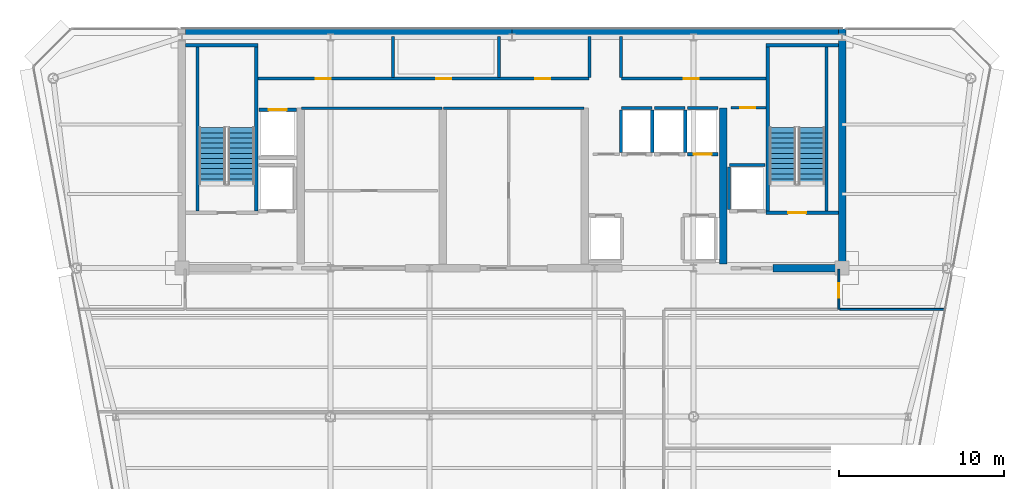
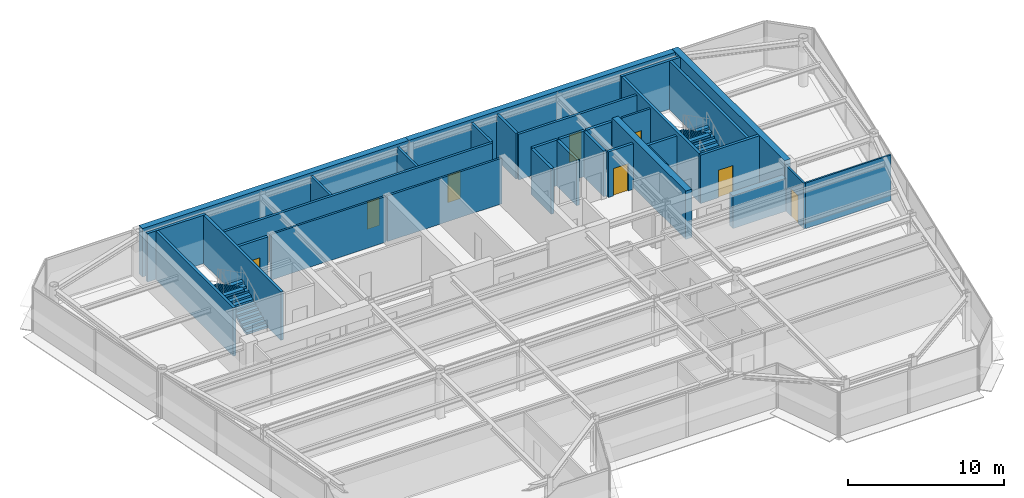
# One storey, part 12 of 19: 33 walls, 9 doors, 4 stair flights, 9 openings, 2 elements without a shape of their own.
"""IFC4 building model written with IfcOpenShell, lengths in metres."""

from ifc_helpers import new_model, si_unit, direction, frame, frame_2d, origin, place, context, subcontext, project, spatial, polyline, rectangle, outline, extrude, source, transform, mapped, material, layer, layer_set, type_object, element, fill, aggregate, save


model = new_model("IFC4")

# Units and contexts
model_context = context("Model", 3, precision=1e-05, world=origin(), true_north=direction((0.0, 1.0)))
body_context = subcontext(model_context, "Body", "Model", "MODEL_VIEW")
ifc_project = project(units=[si_unit("LENGTHUNIT", "METRE"), si_unit("AREAUNIT", "SQUARE_METRE"), si_unit("VOLUMEUNIT", "CUBIC_METRE"), si_unit("PLANEANGLEUNIT", "RADIAN"), si_unit("MASSUNIT", "GRAM", prefix="KILO")], contexts=[model_context])

# Site, building, storey
site_placement = place(None, origin())
site = spatial("IfcSite", under=ifc_project, at=site_placement, CompositionType="ELEMENT")
building_placement = place(site_placement, origin())
building = spatial("IfcBuilding", under=site, at=building_placement, Name="Vaeldorn Concourse Tower", CompositionType="ELEMENT")
storey_placement = place(building_placement, frame((0.0, 0.0, 287.800048828125)))
storey = spatial("IfcBuildingStorey", under=building, at=storey_placement, Name="L74", CompositionType="ELEMENT", Elevation=287.800048828125)

# Walls
ifc_material_1 = material(Name="Concrete C50/60", Category="concrete")
ifc_layer_1 = layer(ifc_material_1, 0.449951171875)
ifc_layer_set_1 = layer_set([ifc_layer_1], Name="Concrete C50/60")
wall_type_1 = type_object("IfcWallType", Name="WL-CORE-450", PredefinedType="SHEAR", material=ifc_layer_set_1)
for number, where, z_axis, x_axis, name in (
    (1, (14.22900390625, 50.77490234375, 0.0), (0.0, 0.0, 1.0), (1.0, 0.0, 0.0), "Rear Core Shear Wall L74 N1"),
    (2, (34.001953125, 50.77490234375, 0.0), (0.0, 0.0, 1.0), (1.0, 0.0, 0.0), "Rear Core Shear Wall L74 N2"),
):
    element("IfcWall", number, at=place(storey_placement, frame(where, z_axis=z_axis, x_axis=x_axis)), inside=storey, type_object=wall_type_1, Name=name, PredefinedType="SHEAR", context=body_context, shape_type="SweptSolid", body=[
        extrude(rectangle(XDim=19.76904296875, YDim=0.449951171875, at=frame_2d((9.884521484375, 0.0))), origin(), (0.0, 0.0, 1.0), 3.800048828125),
    ])
wall_1_placement = place(storey_placement, frame((54.0, 36.5, 0.0), z_axis=(0.0, 0.0, 1.0), x_axis=(0.0, 1.0, 0.0)))
element("IfcWall", 3, at=wall_1_placement, inside=storey, type_object=wall_type_1, Name="Rear Core Shear Wall L74 E1", PredefinedType="SHEAR", context=body_context, shape_type="SweptSolid", body=[
    extrude(rectangle(XDim=14.5, YDim=0.449951171875, at=frame_2d((7.25, 0.0))), origin(), (0.0, 0.0, 1.0), 3.800048828125),
])
wall_2_placement = place(storey_placement, frame((49.800048828125, 36.5, 0.0), z_axis=(0.0, 0.0, 1.0), x_axis=(1.0, 0.0, 0.0)))
element("IfcWall", 4, at=wall_2_placement, inside=storey, type_object=wall_type_1, Name="Rear Core Shear Wall L74 S4", PredefinedType="SHEAR", context=body_context, shape_type="SweptSolid", body=[
    extrude(rectangle(XDim=3.954833984375, YDim=0.449951171875, at=frame_2d((1.9775390625, 0.0))), origin(), (0.0, 0.0, 1.0), 2.579833984375),
])
wall_3_placement = place(storey_placement, frame((46.800048828125, 36.7451171875, 0.0), z_axis=(0.0, 0.0, 1.0), x_axis=(0.0, 1.0, 0.0)))
element("IfcWall", 5, at=wall_3_placement, inside=storey, type_object=wall_type_1, Name="Rear Core Shear Wall L74 M4", PredefinedType="SHEAR", context=body_context, shape_type="SweptSolid", body=[
    extrude(rectangle(XDim=9.454833984375, YDim=0.449951171875, at=frame_2d((4.7275390625, 0.0))), origin(), (0.0, 0.0, 1.0), 3.800048828125),
])

# Wall, opening, door
ifc_material_2 = material(Name="Gypsum Board Partition", Category="gypsum")
ifc_layer_2 = layer(ifc_material_2, 0.1201171875)
ifc_layer_set_2 = layer_set([ifc_layer_2], Name="Gypsum Board Partition")
wall_type_2 = type_object("IfcWallType", Name="WL-PART-120", PredefinedType="PARTITIONING", material=ifc_layer_set_2)
wall_4_placement = place(storey_placement, frame((53.800048828125, 34.0, 0.0), z_axis=(0.0, 0.0, 1.0), x_axis=(0.0, 1.0, 0.0)))
wall_4 = element("IfcWall", 6, at=wall_4_placement, inside=storey, type_object=wall_type_2, Name="Interior Wall PW-L74-C3E", PredefinedType="PARTITIONING", context=body_context, shape_type="SweptSolid", body=[
    extrude(rectangle(XDim=2.43994140625, YDim=0.1201171875, at=frame_2d((1.219970703125, 0.0))), origin(), (0.0, 0.0, 1.0), 3.579833984375),
])
opening_1_placement = place(wall_4_placement, frame((0.699951171875, 0.0, 0.0)))
opening_1 = element("IfcOpeningElement", 7, at=opening_1_placement, cuts=wall_4, Name="Opening D-03", PredefinedType="OPENING", context=body_context, shape_type="SweptSolid", body=[
    extrude(rectangle(XDim=0.89990234375, YDim=2.14990234375, at=frame_2d((0.449951171875, 1.074951171875))), frame((0.0, 0.070068359375, 0.0), z_axis=(0.0, -1.0, 0.0), x_axis=(1.0, 0.0, 0.0)), (0.0, 0.0, 1.0), 0.14013671875),
])
ifc_material_3 = material(Name="Acoustic Bronze-Framed Glass Door", Category="glass")
door_type_1 = type_object("IfcDoorType", Name="DR-INT-900", OperationType="NOTDEFINED", PredefinedType="DOOR", material=ifc_material_3)
shared_shape_1 = source(origin(), body_context, "Body", "SweptSolid", [
    extrude(rectangle(XDim=0.89990234375, YDim=2.14990234375, at=frame_2d((0.449951171875, 1.074951171875))), frame((0.0, 0.02490234375, 0.0), z_axis=(0.0, -1.0, 0.0), x_axis=(1.0, 0.0, 0.0)), (0.0, 0.0, 1.0), 0.050048828125),
])
door_1_placement = place(opening_1_placement, origin())
door_1 = element("IfcDoor", 8, at=door_1_placement, inside=storey, type_object=door_type_1, Name="Interior Door DR-L74-Z3NE", OperationType="SINGLE_SWING_RIGHT", OverallHeight=2.14990234375, OverallWidth=0.89990234375, PredefinedType="DOOR", context=body_context, shape_type="MappedRepresentation", body=[
    mapped(shared_shape_1, transform((0.0, 0.0, 0.0), scale=1.0)),
])
fill(opening_1, door_1)

# Walls
wall_5_placement = place(storey_placement, frame((53.860107421875, 34.0, 0.0), z_axis=(0.0, 0.0, 1.0), x_axis=(1.0, 0.0, 0.0)))
element("IfcWall", 9, at=wall_5_placement, inside=storey, type_object=wall_type_2, Name="Interior Wall PW-L74-Z3NEB", PredefinedType="PARTITIONING", context=body_context, shape_type="SweptSolid", body=[
    extrude(rectangle(XDim=6.34423828125, YDim=0.1201171875, at=frame_2d((3.172119140625, 0.0))), origin(), (0.0, 0.0, 1.0), 3.579833984375),
])
ifc_layer_3 = layer(ifc_material_2, 0.14990234375)
ifc_layer_set_3 = layer_set([ifc_layer_3], Name="Gypsum Board Partition")
wall_type_3 = type_object("IfcWallType", Name="WL-PART-150", PredefinedType="PARTITIONING", material=ifc_layer_set_3)
for number, where, z_axis, x_axis, name in (
    (10, (21.25, 46.199951171875, 0.0), (0.0, 0.0, 1.0), (1.0, 0.0, 0.0), "Interior Wall CW-L74-R1N"),
    (11, (29.85009765625, 46.199951171875, 0.0), (0.0, 0.0, 1.0), (1.0, 0.0, 0.0), "Interior Wall CW-L74-R2N"),
):
    element("IfcWall", number, at=place(storey_placement, frame(where, z_axis=z_axis, x_axis=x_axis)), inside=storey, type_object=wall_type_3, Name=name, PredefinedType="PARTITIONING", context=body_context, shape_type="SweptSolid", body=[
        extrude(rectangle(XDim=8.5, YDim=0.14990234375, at=frame_2d((4.25, 0.0))), origin(), (0.0, 0.0, 1.0), 3.579833984375),
    ])

# Wall, opening, door
wall_6_placement = place(storey_placement, frame((47.280029296875, 46.219970703125, 0.0), z_axis=(0.0, 0.0, 1.0), x_axis=(1.0, 0.0, 0.0)))
wall_6 = element("IfcWall", 12, at=wall_6_placement, inside=storey, type_object=wall_type_3, Name="Interior Wall CW-L74-CRSE-N", PredefinedType="PARTITIONING", context=body_context, shape_type="SweptSolid", body=[
    extrude(rectangle(XDim=2.099853515625, YDim=0.14990234375, at=frame_2d((1.0498046875, 0.0))), origin(), (0.0, 0.0, 1.0), 3.579833984375),
])
opening_2_placement = place(wall_6_placement, frame((0.550048828125, 0.0, 0.0)))
opening_2 = element("IfcOpeningElement", 13, at=opening_2_placement, cuts=wall_6, Name="Opening D-02", PredefinedType="OPENING", context=body_context, shape_type="SweptSolid", body=[
    extrude(rectangle(XDim=0.89990234375, YDim=2.10009765625, at=frame_2d((0.449951171875, 1.050048828125))), frame((0.0, 0.0849609375, 0.0), z_axis=(0.0, -1.0, 0.0), x_axis=(1.0, 0.0, 0.0)), (0.0, 0.0, 1.0), 0.169921875),
])
ifc_material_4 = material(Name="Fire-Rated Timber Leaf", Category="wood")
door_type_2 = type_object("IfcDoorType", Name="DR-FD30-900", OperationType="NOTDEFINED", PredefinedType="DOOR", material=ifc_material_4)
shared_shape_2 = source(origin(), body_context, "Body", "SweptSolid", [
    extrude(rectangle(XDim=0.89990234375, YDim=2.10009765625, at=frame_2d((0.449951171875, 1.050048828125))), frame((0.0, 0.02490234375, 0.0), z_axis=(0.0, -1.0, 0.0), x_axis=(1.0, 0.0, 0.0)), (0.0, 0.0, 1.0), 0.050048828125),
])
door_2_placement = place(opening_2_placement, origin())
door_2 = element("IfcDoor", 14, at=door_2_placement, inside=storey, type_object=door_type_2, Name="Interior Door DR-L74-CRSE", OperationType="SINGLE_SWING_RIGHT", OverallHeight=2.10009765625, OverallWidth=0.89990234375, PredefinedType="DOOR", context=body_context, shape_type="MappedRepresentation", body=[
    mapped(shared_shape_2, transform((0.0, 0.0, 0.0), scale=1.0)),
])
fill(opening_2, door_2)

# Wall, openings, doors
ifc_layer_4 = layer(ifc_material_2, 0.179931640625)
ifc_layer_set_4 = layer_set([ifc_layer_4], Name="Gypsum Board Partition")
wall_type_4 = type_object("IfcWallType", Name="WL-PLUMB-180", PredefinedType="PLUMBINGWALL", material=ifc_layer_set_4)
wall_7_placement = place(storey_placement, frame((18.6201171875, 47.97998046875, 0.0), z_axis=(0.0, 0.0, 1.0), x_axis=(1.0, 0.0, 0.0)))
wall_7 = element("IfcWall", 15, at=wall_7_placement, inside=storey, type_object=wall_type_4, Name="Interior Wall CW-L74-NS1W", PredefinedType="PLUMBINGWALL", context=body_context, shape_type="SweptSolid", body=[
    extrude(rectangle(XDim=20.059814453125, YDim=0.179931640625, at=frame_2d((10.02978515625, 0.0))), origin(), (0.0, 0.0, 1.0), 3.579833984375),
])
opening_3_placement = place(wall_7_placement, frame((3.5, 0.0, 0.0)))
opening_3 = element("IfcOpeningElement", 16, at=opening_3_placement, cuts=wall_7, Name="Opening D-03", PredefinedType="OPENING", context=body_context, shape_type="SweptSolid", body=[
    extrude(rectangle(XDim=0.89990234375, YDim=2.14990234375, at=frame_2d((0.449951171875, 1.074951171875))), frame((0.0, 0.10009765625, 0.0), z_axis=(0.0, -1.0, 0.0), x_axis=(1.0, 0.0, 0.0)), (0.0, 0.0, 1.0), 0.199951171875),
])
opening_4_placement = place(wall_7_placement, frame((10.800048828125, 0.0, 0.0)))
opening_4 = element("IfcOpeningElement", 17, at=opening_4_placement, cuts=wall_7, Name="Opening D-03", PredefinedType="OPENING", context=body_context, shape_type="SweptSolid", body=[
    extrude(rectangle(XDim=0.89990234375, YDim=2.14990234375, at=frame_2d((0.449951171875, 1.074951171875))), frame((0.0, 0.10009765625, 0.0), z_axis=(0.0, -1.0, 0.0), x_axis=(1.0, 0.0, 0.0)), (0.0, 0.0, 1.0), 0.199951171875),
])
opening_5_placement = place(wall_7_placement, frame((16.800048828125, 0.0, 0.0)))
opening_5 = element("IfcOpeningElement", 18, at=opening_5_placement, cuts=wall_7, Name="Opening D-03", PredefinedType="OPENING", context=body_context, shape_type="SweptSolid", body=[
    extrude(rectangle(XDim=0.89990234375, YDim=2.14990234375, at=frame_2d((0.449951171875, 1.074951171875))), frame((0.0, 0.10009765625, 0.0), z_axis=(0.0, -1.0, 0.0), x_axis=(1.0, 0.0, 0.0)), (0.0, 0.0, 1.0), 0.199951171875),
])
door_3_placement = place(opening_3_placement, origin())
door_3 = element("IfcDoor", 19, at=door_3_placement, inside=storey, type_object=door_type_1, Name="Interior Door DR-L74-CS1", OperationType="SINGLE_SWING_LEFT", OverallHeight=2.14990234375, OverallWidth=0.89990234375, PredefinedType="DOOR", context=body_context, shape_type="MappedRepresentation", body=[
    mapped(shared_shape_1, transform((0.0, 0.0, 0.0), scale=1.0)),
])
fill(opening_3, door_3)
door_4_placement = place(opening_4_placement, origin())
door_4 = element("IfcDoor", 20, at=door_4_placement, inside=storey, type_object=door_type_1, Name="Interior Door DR-L74-CS2", OperationType="SINGLE_SWING_RIGHT", OverallHeight=2.14990234375, OverallWidth=0.89990234375, PredefinedType="DOOR", context=body_context, shape_type="MappedRepresentation", body=[
    mapped(shared_shape_1, transform((0.0, 0.0, 0.0), scale=1.0)),
])
fill(opening_4, door_4)
door_5_placement = place(opening_5_placement, origin())
door_5 = element("IfcDoor", 21, at=door_5_placement, inside=storey, type_object=door_type_1, Name="Interior Door DR-L74-CS3", OperationType="SINGLE_SWING_LEFT", OverallHeight=2.14990234375, OverallWidth=0.89990234375, PredefinedType="DOOR", context=body_context, shape_type="MappedRepresentation", body=[
    mapped(shared_shape_1, transform((0.0, 0.0, 0.0), scale=1.0)),
])
fill(opening_5, door_5)

# Wall, opening, door
wall_8_placement = place(storey_placement, frame((40.6201171875, 47.97998046875, 0.0), z_axis=(0.0, 0.0, 1.0), x_axis=(1.0, 0.0, 0.0)))
wall_8 = element("IfcWall", 22, at=wall_8_placement, inside=storey, type_object=wall_type_4, Name="Interior Wall CW-L74-NS1E", PredefinedType="PLUMBINGWALL", context=body_context, shape_type="SweptSolid", body=[
    extrude(rectangle(XDim=8.759765625, YDim=0.179931640625, at=frame_2d((4.3798828125, 0.0))), origin(), (0.0, 0.0, 1.0), 3.579833984375),
])
opening_6_placement = place(wall_8_placement, frame((3.800048828125, 0.0, 0.0)))
opening_6 = element("IfcOpeningElement", 23, at=opening_6_placement, cuts=wall_8, Name="Opening D-03", PredefinedType="OPENING", context=body_context, shape_type="SweptSolid", body=[
    extrude(rectangle(XDim=0.89990234375, YDim=2.14990234375, at=frame_2d((0.449951171875, 1.074951171875))), frame((0.0, 0.10009765625, 0.0), z_axis=(0.0, -1.0, 0.0), x_axis=(1.0, 0.0, 0.0)), (0.0, 0.0, 1.0), 0.199951171875),
])
door_6_placement = place(opening_6_placement, origin())
door_6 = element("IfcDoor", 24, at=door_6_placement, inside=storey, type_object=door_type_1, Name="Interior Door DR-L74-CS4", OperationType="SINGLE_SWING_RIGHT", OverallHeight=2.14990234375, OverallWidth=0.89990234375, PredefinedType="DOOR", context=body_context, shape_type="MappedRepresentation", body=[
    mapped(shared_shape_1, transform((0.0, 0.0, 0.0), scale=1.0)),
])
fill(opening_6, door_6)

# Walls
for number, where, z_axis, x_axis, name in (
    (25, (26.800048828125, 48.06005859375, 0.0), (0.0, 0.0, 1.0), (0.0, 1.0, 0.0), "Interior Wall CW-L74-NDIV1"),
    (26, (33.199951171875, 48.06005859375, 0.0), (0.0, 0.0, 1.0), (0.0, 1.0, 0.0), "Interior Wall CW-L74-NDIV2"),
    (27, (38.699951171875, 48.06005859375, 0.0), (0.0, 0.0, 1.0), (0.0, 1.0, 0.0), "Interior Wall CW-L74-NDIV3"),
    (28, (40.60009765625, 48.06005859375, 0.0), (0.0, 0.0, 1.0), (0.0, 1.0, 0.0), "Interior Wall CW-L74-NDIV4"),
):
    element("IfcWall", number, at=place(storey_placement, frame(where, z_axis=z_axis, x_axis=x_axis)), inside=storey, type_object=wall_type_4, Name=name, PredefinedType="PLUMBINGWALL", context=body_context, shape_type="SweptSolid", body=[
        extrude(rectangle(XDim=2.469970703125, YDim=0.179931640625, at=frame_2d((1.23486328125, 0.0))), origin(), (0.0, 0.0, 1.0), 3.579833984375),
    ])
ifc_layer_5 = layer(ifc_material_1, 0.199951171875)
ifc_layer_set_5 = layer_set([ifc_layer_5], Name="Concrete C50/60")
wall_type_5 = type_object("IfcWallType", Name="WL-SHAFT-200", PredefinedType="SOLIDWALL", material=ifc_layer_set_5)
wall_9_placement = place(storey_placement, frame((14.22509765625, 50.0, 0.0), z_axis=(0.0, 0.0, 1.0), x_axis=(1.0, 0.0, 0.0)))
element("IfcWall", 29, at=wall_9_placement, inside=storey, type_object=wall_type_5, Name="Stair Shaft Wall CW-L74-ST-1-N", PredefinedType="SOLIDWALL", context=body_context, shape_type="SweptSolid", body=[
    extrude(rectangle(XDim=4.375, YDim=0.199951171875, at=frame_2d((2.1875, 0.0))), origin(), (0.0, 0.0, 1.0), 3.800048828125),
])
for number, where, z_axis, x_axis, name in (
    (30, (14.949951171875, 39.9599609375, 0.0), (0.0, 0.0, 1.0), (0.0, 1.0, 0.0), "Stair Shaft Wall CW-L74-ST-1-W"),
    (31, (18.5, 39.9599609375, 0.0), (0.0, 0.0, 1.0), (0.0, 1.0, 0.0), "Stair Shaft Wall CW-L74-ST-1-E"),
):
    element("IfcWall", number, at=place(storey_placement, frame(where, z_axis=z_axis, x_axis=x_axis)), inside=storey, type_object=wall_type_5, Name=name, PredefinedType="SOLIDWALL", context=body_context, shape_type="SweptSolid", body=[
        extrude(rectangle(XDim=9.929931640625, YDim=0.199951171875, at=frame_2d((4.96484375, 0.0))), origin(), (0.0, 0.0, 1.0), 3.800048828125),
    ])

# Wall, opening, door
wall_10_placement = place(storey_placement, frame((49.39990234375, 39.85009765625, 0.0), z_axis=(0.0, 0.0, 1.0), x_axis=(1.0, 0.0, 0.0)))
wall_10 = element("IfcWall", 32, at=wall_10_placement, inside=storey, type_object=wall_type_5, Name="Stair Shaft Wall CW-L74-ST-2-S", PredefinedType="SOLIDWALL", context=body_context, shape_type="SweptSolid", body=[
    extrude(rectangle(XDim=4.375, YDim=0.199951171875, at=frame_2d((2.1875, 0.0))), origin(), (0.0, 0.0, 1.0), 3.800048828125),
])
opening_7_placement = place(wall_10_placement, frame((1.324951171875, 0.0, 0.0)))
opening_7 = element("IfcOpeningElement", 33, at=opening_7_placement, cuts=wall_10, Name="Opening D-01", PredefinedType="OPENING", context=body_context, shape_type="SweptSolid", body=[
    extrude(rectangle(XDim=1.10009765625, YDim=2.14990234375, at=frame_2d((0.550048828125, 1.074951171875))), frame((0.0, 0.10986328125, 0.0), z_axis=(0.0, -1.0, 0.0), x_axis=(1.0, 0.0, 0.0)), (0.0, 0.0, 1.0), 0.219970703125),
])
ifc_material_5 = material(Name="Fire-Rated Timber and Steel Leaf", Category="steel")
door_type_3 = type_object("IfcDoorType", Name="DR-FD60-1100", OperationType="NOTDEFINED", PredefinedType="DOOR", material=ifc_material_5)
shared_shape_3 = source(origin(), body_context, "Body", "SweptSolid", [
    extrude(rectangle(XDim=1.10009765625, YDim=2.14990234375, at=frame_2d((0.550048828125, 1.074951171875))), frame((0.0, 0.02490234375, 0.0), z_axis=(0.0, -1.0, 0.0), x_axis=(1.0, 0.0, 0.0)), (0.0, 0.0, 1.0), 0.050048828125),
])
door_7_placement = place(opening_7_placement, origin())
door_7 = element("IfcDoor", 34, at=door_7_placement, inside=storey, type_object=door_type_3, Name="Interior Door DR-L74-ST-2", OperationType="SINGLE_SWING_RIGHT", OverallHeight=2.14990234375, OverallWidth=1.10009765625, PredefinedType="DOOR", context=body_context, shape_type="MappedRepresentation", body=[
    mapped(shared_shape_3, transform((0.0, 0.0, 0.0), scale=1.0)),
])
fill(opening_7, door_7)

# Walls
wall_11_placement = place(storey_placement, frame((49.39990234375, 50.0, 0.0), z_axis=(0.0, 0.0, 1.0), x_axis=(1.0, 0.0, 0.0)))
element("IfcWall", 35, at=wall_11_placement, inside=storey, type_object=wall_type_5, Name="Stair Shaft Wall CW-L74-ST-2-N", PredefinedType="SOLIDWALL", context=body_context, shape_type="SweptSolid", body=[
    extrude(rectangle(XDim=4.375, YDim=0.199951171875, at=frame_2d((2.1875, 0.0))), origin(), (0.0, 0.0, 1.0), 3.800048828125),
])
for number, where, z_axis, x_axis, name in (
    (36, (49.5, 39.9599609375, 0.0), (0.0, 0.0, 1.0), (0.0, 1.0, 0.0), "Stair Shaft Wall CW-L74-ST-2-W"),
    (37, (53.050048828125, 39.9599609375, 0.0), (0.0, 0.0, 1.0), (0.0, 1.0, 0.0), "Stair Shaft Wall CW-L74-ST-2-E"),
):
    element("IfcWall", number, at=place(storey_placement, frame(where, z_axis=z_axis, x_axis=x_axis)), inside=storey, type_object=wall_type_5, Name=name, PredefinedType="SOLIDWALL", context=body_context, shape_type="SweptSolid", body=[
        extrude(rectangle(XDim=9.929931640625, YDim=0.199951171875, at=frame_2d((4.96484375, 0.0))), origin(), (0.0, 0.0, 1.0), 3.800048828125),
    ])
wall_12_placement = place(storey_placement, frame((40.6201171875, 46.199951171875, 0.0), z_axis=(0.0, 0.0, 1.0), x_axis=(1.0, 0.0, 0.0)))
element("IfcWall", 38, at=wall_12_placement, inside=storey, type_object=wall_type_5, Name="Interior Wall CW-L74-LFB-LF-15", PredefinedType="SOLIDWALL", context=body_context, shape_type="SweptSolid", body=[
    extrude(rectangle(XDim=1.85986328125, YDim=0.199951171875, at=frame_2d((0.929931640625, 0.0))), origin(), (0.0, 0.0, 1.0), 3.579833984375),
])
for number, where, z_axis, x_axis, name in (
    (39, (40.60009765625, 43.52001953125, 0.0), (0.0, 0.0, 1.0), (0.0, 1.0, 0.0), "Interior Wall CW-L74-LFW-LF-15"),
    (40, (42.5, 43.52001953125, 0.0), (0.0, 0.0, 1.0), (0.0, 1.0, 0.0), "Interior Wall CW-L74-LFE-LF-15"),
):
    element("IfcWall", number, at=place(storey_placement, frame(where, z_axis=z_axis, x_axis=x_axis)), inside=storey, type_object=wall_type_5, Name=name, PredefinedType="SOLIDWALL", context=body_context, shape_type="SweptSolid", body=[
        extrude(rectangle(XDim=2.56005859375, YDim=0.199951171875, at=frame_2d((1.280029296875, 0.0))), origin(), (0.0, 0.0, 1.0), 3.579833984375),
    ])
wall_13_placement = place(storey_placement, frame((42.6201171875, 46.199951171875, 0.0), z_axis=(0.0, 0.0, 1.0), x_axis=(1.0, 0.0, 0.0)))
element("IfcWall", 41, at=wall_13_placement, inside=storey, type_object=wall_type_5, Name="Interior Wall CW-L74-LFB-LF-16", PredefinedType="SOLIDWALL", context=body_context, shape_type="SweptSolid", body=[
    extrude(rectangle(XDim=1.85986328125, YDim=0.199951171875, at=frame_2d((0.929931640625, 0.0))), origin(), (0.0, 0.0, 1.0), 3.579833984375),
])
wall_14_placement = place(storey_placement, frame((44.5, 43.52001953125, 0.0), z_axis=(0.0, 0.0, 1.0), x_axis=(0.0, 1.0, 0.0)))
element("IfcWall", 42, at=wall_14_placement, inside=storey, type_object=wall_type_5, Name="Interior Wall CW-L74-LFE-LF-16", PredefinedType="SOLIDWALL", context=body_context, shape_type="SweptSolid", body=[
    extrude(rectangle(XDim=2.56005859375, YDim=0.199951171875, at=frame_2d((1.280029296875, 0.0))), origin(), (0.0, 0.0, 1.0), 3.579833984375),
])

# Wall, opening, door
wall_15_placement = place(storey_placement, frame((44.6201171875, 43.39990234375, 0.0), z_axis=(0.0, 0.0, 1.0), x_axis=(1.0, 0.0, 0.0)))
wall_15 = element("IfcWall", 43, at=wall_15_placement, inside=storey, type_object=wall_type_5, Name="Interior Wall CW-L74-LF-LF-17", PredefinedType="SOLIDWALL", context=body_context, shape_type="SweptSolid", body=[
    extrude(rectangle(XDim=1.85986328125, YDim=0.199951171875, at=frame_2d((0.929931640625, 0.0))), origin(), (0.0, 0.0, 1.0), 3.579833984375),
])
opening_8_placement = place(wall_15_placement, frame((0.3798828125, 0.0, 0.0)))
opening_8 = element("IfcOpeningElement", 44, at=opening_8_placement, cuts=wall_15, Name="Opening LD-1", PredefinedType="OPENING", context=body_context, shape_type="SweptSolid", body=[
    extrude(rectangle(XDim=1.10009765625, YDim=2.14990234375, at=frame_2d((0.550048828125, 1.074951171875))), frame((0.0, 0.10986328125, 0.0), z_axis=(0.0, -1.0, 0.0), x_axis=(1.0, 0.0, 0.0)), (0.0, 0.0, 1.0), 0.219970703125),
])
ifc_material_6 = material(Name="Anodised Bronze Aluminium", Category="aluminium")
door_type_4 = type_object("IfcDoorType", Name="DR-LIFT-SLIDE-1100", OperationType="DOUBLE_DOOR_SLIDING", PredefinedType="DOOR", material=ifc_material_6)
door_8_placement = place(opening_8_placement, origin())
door_8 = element("IfcDoor", 45, at=door_8_placement, inside=storey, type_object=door_type_4, Name="Lift Landing Door LD-L74-LF-17", OperationType="DOUBLE_DOOR_SLIDING", OverallHeight=2.14990234375, OverallWidth=1.10009765625, PredefinedType="DOOR", context=body_context, shape_type="MappedRepresentation", body=[
    mapped(shared_shape_3, transform((0.0, 0.0, 0.0), scale=1.0)),
])
fill(opening_8, door_8)

# Wall
wall_16_placement = place(storey_placement, frame((44.6201171875, 46.199951171875, 0.0), z_axis=(0.0, 0.0, 1.0), x_axis=(1.0, 0.0, 0.0)))
element("IfcWall", 46, at=wall_16_placement, inside=storey, type_object=wall_type_5, Name="Interior Wall CW-L74-LFB-LF-17", PredefinedType="SOLIDWALL", context=body_context, shape_type="SweptSolid", body=[
    extrude(rectangle(XDim=1.85986328125, YDim=0.199951171875, at=frame_2d((0.929931640625, 0.0))), origin(), (0.0, 0.0, 1.0), 3.579833984375),
])

# Wall, opening, door
wall_17_placement = place(storey_placement, frame((18.669921875, 46.10009765625, 0.0), z_axis=(0.0, 0.0, 1.0), x_axis=(1.0, 0.0, 0.0)))
wall_17 = element("IfcWall", 47, at=wall_17_placement, inside=storey, type_object=wall_type_5, Name="Interior Wall CW-L74-LF-LF-SV1", PredefinedType="SOLIDWALL", context=body_context, shape_type="SweptSolid", body=[
    extrude(rectangle(XDim=2.260009765625, YDim=0.199951171875, at=frame_2d((1.1298828125, 0.0))), origin(), (0.0, 0.0, 1.0), 3.579833984375),
])
opening_9_placement = place(wall_17_placement, frame((0.580078125, 0.0, 0.0)))
opening_9 = element("IfcOpeningElement", 48, at=opening_9_placement, cuts=wall_17, Name="Opening LD-1", PredefinedType="OPENING", context=body_context, shape_type="SweptSolid", body=[
    extrude(rectangle(XDim=1.10009765625, YDim=2.14990234375, at=frame_2d((0.550048828125, 1.074951171875))), frame((0.0, 0.10986328125, 0.0), z_axis=(0.0, -1.0, 0.0), x_axis=(1.0, 0.0, 0.0)), (0.0, 0.0, 1.0), 0.219970703125),
])
door_9_placement = place(opening_9_placement, origin())
door_9 = element("IfcDoor", 49, at=door_9_placement, inside=storey, type_object=door_type_4, Name="Lift Landing Door LD-L74-LF-SV1", OperationType="DOUBLE_DOOR_SLIDING", OverallHeight=2.14990234375, OverallWidth=1.10009765625, PredefinedType="DOOR", context=body_context, shape_type="MappedRepresentation", body=[
    mapped(shared_shape_3, transform((0.0, 0.0, 0.0), scale=1.0)),
])
fill(opening_9, door_9)

# Walls
wall_18_placement = place(storey_placement, frame((47.169921875, 42.75, 0.0), z_axis=(0.0, 0.0, 1.0), x_axis=(1.0, 0.0, 0.0)))
element("IfcWall", 50, at=wall_18_placement, inside=storey, type_object=wall_type_5, Name="Interior Wall CW-L74-LFB-LF-FF2", PredefinedType="SOLIDWALL", context=body_context, shape_type="SweptSolid", body=[
    extrude(rectangle(XDim=2.16015625, YDim=0.199951171875, at=frame_2d((1.080078125, 0.0))), origin(), (0.0, 0.0, 1.0), 3.579833984375),
])
wall_19_placement = place(storey_placement, frame((47.14990234375, 40.070068359375, 0.0), z_axis=(0.0, 0.0, 1.0), x_axis=(0.0, 1.0, 0.0)))
element("IfcWall", 51, at=wall_19_placement, inside=storey, type_object=wall_type_5, Name="Interior Wall CW-L74-LFW-LF-FF2", PredefinedType="SOLIDWALL", context=body_context, shape_type="SweptSolid", body=[
    extrude(rectangle(XDim=2.559814453125, YDim=0.199951171875, at=frame_2d((1.27978515625, 0.0))), origin(), (0.0, 0.0, 1.0), 3.579833984375),
])

# Stair, stair flights
ifc_material_7 = material(Name="Precast concrete C40/50", Category="concrete")
stair_type = type_object("IfcStairType", Name="STR-DOG-24x158", PredefinedType="HALF_TURN_STAIR", material=ifc_material_7)
stair_1_placement = place(storey_placement, origin())
stair_1 = element("IfcStair", 52, at=stair_1_placement, inside=storey, type_object=stair_type, Name="L74 West Core Exit Stair ST-1", PredefinedType="HALF_TURN_STAIR")
stair_flight_type = type_object("IfcStairFlightType", Name="STF-STR-12x158", PredefinedType="STRAIGHT", material=ifc_material_7)
stair_flight_1_placement = place(storey_placement, frame((17.60009765625, 41.60009765625, 0.0), z_axis=(0.0, 0.0, 1.0), x_axis=(0.0, 1.0, 0.0)))
stair_flight_1 = element("IfcStairFlight", 53, at=stair_flight_1_placement, type_object=stair_flight_type, Name="ST-1 flight 1", NumberOfRisers=12, NumberOfTreads=11, PredefinedType="STRAIGHT", RiserHeight=0.158333333, TreadLength=0.31, context=body_context, shape_type="SweptSolid", body=[
    extrude(outline(polyline([(0.0, 0.0), (0.0, 0.158447265625), (0.31005859375, 0.158447265625), (0.31005859375, 0.316650390625), (0.6201171875, 0.316650390625), (0.6201171875, 0.47509765625), (0.929931640625, 0.47509765625), (0.929931640625, 0.63330078125), (1.239990234375, 0.63330078125), (1.239990234375, 0.791748046875), (1.550048828125, 0.791748046875), (1.550048828125, 0.949951171875), (1.860107421875, 0.949951171875), (1.860107421875, 1.1083984375), (2.169921875, 1.1083984375), (2.169921875, 1.2666015625), (2.47998046875, 1.2666015625), (2.47998046875, 1.425048828125), (2.7900390625, 1.425048828125), (2.7900390625, 1.583251953125), (3.10009765625, 1.583251953125), (3.10009765625, 1.74169921875), (3.409912109375, 1.74169921875), (3.409912109375, 1.89990234375), (3.409912109375, 1.5732421875), (0.32958984375, 0.0), (0.0, 0.0)])), frame((0.0, 0.800048828125, 0.0), z_axis=(0.0, -1.0, 0.0), x_axis=(1.0, 0.0, 0.0)), (0.0, 0.0, 1.0), 1.60009765625),
])
stair_flight_2_placement = place(storey_placement, frame((15.85009765625, 45.010009765625, 1.89990234375), z_axis=(0.0, 0.0, 1.0), x_axis=(0.0, -1.0, 0.0)))
stair_flight_2 = element("IfcStairFlight", 54, at=stair_flight_2_placement, type_object=stair_flight_type, Name="ST-1 flight 2", NumberOfRisers=12, NumberOfTreads=11, PredefinedType="STRAIGHT", RiserHeight=0.158333333, TreadLength=0.31, context=body_context, shape_type="SweptSolid", body=[
    extrude(outline(polyline([(0.0, 0.0), (0.0, 0.158447265625), (0.31005859375, 0.158447265625), (0.31005859375, 0.316650390625), (0.6201171875, 0.316650390625), (0.6201171875, 0.47509765625), (0.929931640625, 0.47509765625), (0.929931640625, 0.63330078125), (1.239990234375, 0.63330078125), (1.239990234375, 0.791748046875), (1.550048828125, 0.791748046875), (1.550048828125, 0.949951171875), (1.860107421875, 0.949951171875), (1.860107421875, 1.1083984375), (2.169921875, 1.1083984375), (2.169921875, 1.2666015625), (2.47998046875, 1.2666015625), (2.47998046875, 1.425048828125), (2.7900390625, 1.425048828125), (2.7900390625, 1.583251953125), (3.10009765625, 1.583251953125), (3.10009765625, 1.74169921875), (3.409912109375, 1.74169921875), (3.409912109375, 1.89990234375), (3.409912109375, 1.5732421875), (0.32958984375, 0.0), (0.0, 0.0)])), frame((0.0, 0.800048828125, 0.0), z_axis=(0.0, -1.0, 0.0), x_axis=(1.0, 0.0, 0.0)), (0.0, 0.0, 1.0), 1.60009765625),
])
aggregate(stair_1, [stair_flight_1, stair_flight_2])

stair_2_placement = place(storey_placement, origin())
stair_2 = element("IfcStair", 55, at=stair_2_placement, inside=storey, type_object=stair_type, Name="L74 East Core Exit Stair ST-2", PredefinedType="HALF_TURN_STAIR")
stair_flight_3_placement = place(storey_placement, frame((52.14990234375, 41.60009765625, 0.0), z_axis=(0.0, 0.0, 1.0), x_axis=(0.0, 1.0, 0.0)))
stair_flight_3 = element("IfcStairFlight", 56, at=stair_flight_3_placement, type_object=stair_flight_type, Name="ST-2 flight 1", NumberOfRisers=12, NumberOfTreads=11, PredefinedType="STRAIGHT", RiserHeight=0.158333333, TreadLength=0.31, context=body_context, shape_type="SweptSolid", body=[
    extrude(outline(polyline([(0.0, 0.0), (0.0, 0.158447265625), (0.31005859375, 0.158447265625), (0.31005859375, 0.316650390625), (0.6201171875, 0.316650390625), (0.6201171875, 0.47509765625), (0.929931640625, 0.47509765625), (0.929931640625, 0.63330078125), (1.239990234375, 0.63330078125), (1.239990234375, 0.791748046875), (1.550048828125, 0.791748046875), (1.550048828125, 0.949951171875), (1.860107421875, 0.949951171875), (1.860107421875, 1.1083984375), (2.169921875, 1.1083984375), (2.169921875, 1.2666015625), (2.47998046875, 1.2666015625), (2.47998046875, 1.425048828125), (2.7900390625, 1.425048828125), (2.7900390625, 1.583251953125), (3.10009765625, 1.583251953125), (3.10009765625, 1.74169921875), (3.409912109375, 1.74169921875), (3.409912109375, 1.89990234375), (3.409912109375, 1.5732421875), (0.32958984375, 0.0), (0.0, 0.0)])), frame((0.0, 0.800048828125, 0.0), z_axis=(0.0, -1.0, 0.0), x_axis=(1.0, 0.0, 0.0)), (0.0, 0.0, 1.0), 1.60009765625),
])
stair_flight_4_placement = place(storey_placement, frame((50.39990234375, 45.010009765625, 1.89990234375), z_axis=(0.0, 0.0, 1.0), x_axis=(0.0, -1.0, 0.0)))
stair_flight_4 = element("IfcStairFlight", 57, at=stair_flight_4_placement, type_object=stair_flight_type, Name="ST-2 flight 2", NumberOfRisers=12, NumberOfTreads=11, PredefinedType="STRAIGHT", RiserHeight=0.158333333, TreadLength=0.31, context=body_context, shape_type="SweptSolid", body=[
    extrude(outline(polyline([(0.0, 0.0), (0.0, 0.158447265625), (0.31005859375, 0.158447265625), (0.31005859375, 0.316650390625), (0.6201171875, 0.316650390625), (0.6201171875, 0.47509765625), (0.929931640625, 0.47509765625), (0.929931640625, 0.63330078125), (1.239990234375, 0.63330078125), (1.239990234375, 0.791748046875), (1.550048828125, 0.791748046875), (1.550048828125, 0.949951171875), (1.860107421875, 0.949951171875), (1.860107421875, 1.1083984375), (2.169921875, 1.1083984375), (2.169921875, 1.2666015625), (2.47998046875, 1.2666015625), (2.47998046875, 1.425048828125), (2.7900390625, 1.425048828125), (2.7900390625, 1.583251953125), (3.10009765625, 1.583251953125), (3.10009765625, 1.74169921875), (3.409912109375, 1.74169921875), (3.409912109375, 1.89990234375), (3.409912109375, 1.5732421875), (0.32958984375, 0.0), (0.0, 0.0)])), frame((0.0, 0.800048828125, 0.0), z_axis=(0.0, -1.0, 0.0), x_axis=(1.0, 0.0, 0.0)), (0.0, 0.0, 1.0), 1.60009765625),
])
aggregate(stair_2, [stair_flight_3, stair_flight_4])

save(model, "model.ifc")
